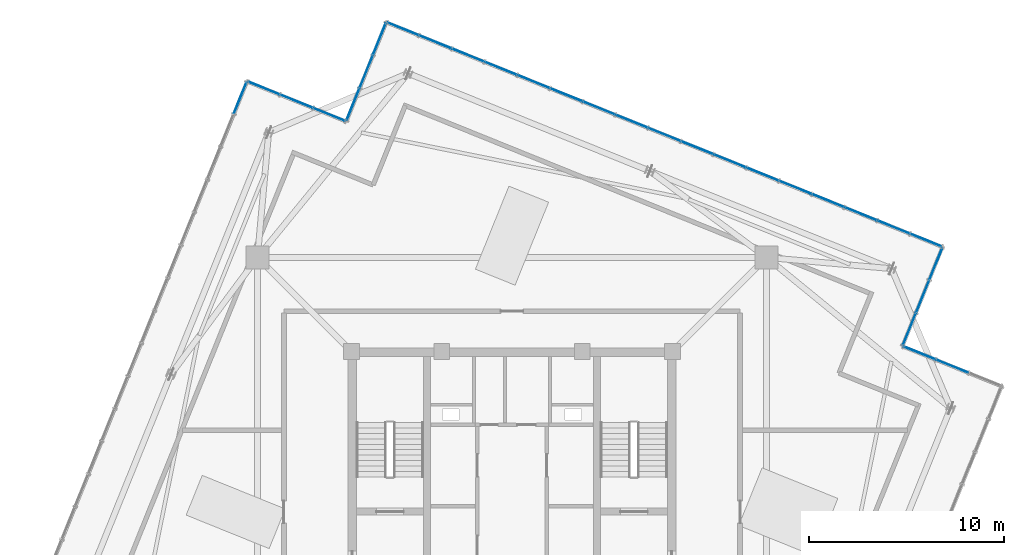
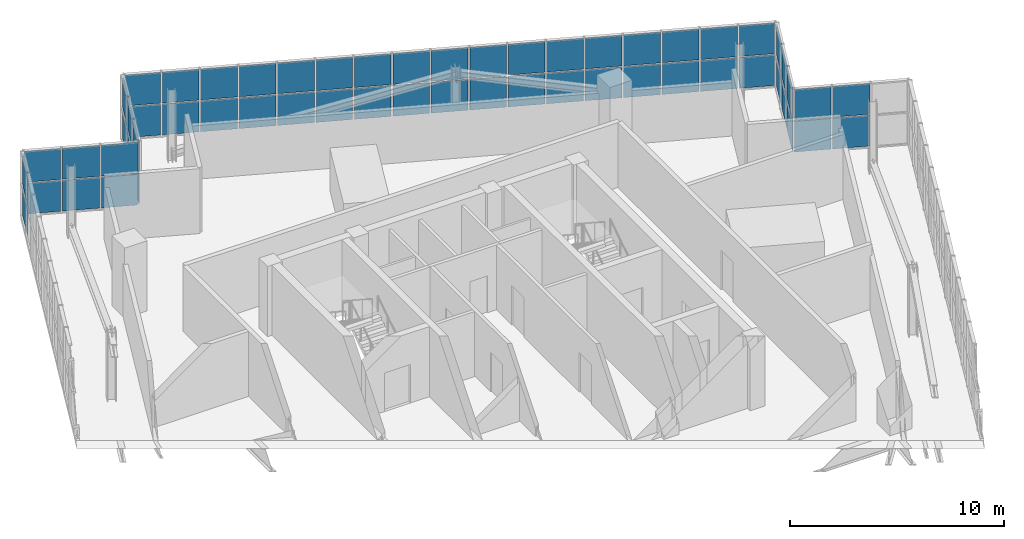
# One storey, part 20 of 26: 58 plates, 6 elements without a shape of their own.
"""IFC4 building model written with IfcOpenShell, lengths in metres."""

from ifc_helpers import new_model, si_unit, direction, frame, origin, origin_2d, place, context, subcontext, project, spatial, rectangle, extrude, source, transform, mapped, material, layer, layer_set, type_object, element, aggregate, save


model = new_model("IFC4")

# Units and contexts
model_context = context("Model", 3, precision=1e-05, world=origin(), true_north=direction((0.0, 1.0)))
body_context = subcontext(model_context, "Body", "Model", "MODEL_VIEW")
ifc_project = project(units=[si_unit("LENGTHUNIT", "METRE"), si_unit("AREAUNIT", "SQUARE_METRE"), si_unit("VOLUMEUNIT", "CUBIC_METRE"), si_unit("PLANEANGLEUNIT", "RADIAN"), si_unit("MASSUNIT", "GRAM", prefix="KILO"), si_unit("THERMODYNAMICTEMPERATUREUNIT", "KELVIN")], contexts=[model_context])

# Site, building, storey
site_placement = place(None, origin())
site = spatial("IfcSite", under=ifc_project, at=site_placement, CompositionType="ELEMENT")
building_placement = place(site_placement, origin())
building = spatial("IfcBuilding", under=site, at=building_placement, Name="Kosmvard Interchange Tower", CompositionType="ELEMENT")
storey_placement = place(building_placement, frame((0.0, 0.0, 337.60009765625)))
storey = spatial("IfcBuildingStorey", under=building, at=storey_placement, Name="L83", CompositionType="ELEMENT", Elevation=337.60009765625)

# Curtain wall, plates
ifc_material_1 = material(Name="Architectural anodised aluminium", Category="aluminium")
ifc_layer_1 = layer(ifc_material_1, 0.25, Name="Architectural anodised aluminium")
ifc_layer_set_1 = layer_set([ifc_layer_1], Name="Architectural anodised aluminium")
curtain_wall_type = type_object("IfcCurtainWallType", Name="CW-6 Illuminated Crown Lantern Curtain Wall", PredefinedType="NOTDEFINED", material=ifc_layer_set_1)
curtain_wall_1_placement = place(storey_placement, origin())
curtain_wall_1 = element("IfcCurtainWall", 1, at=curtain_wall_1_placement, inside=storey, type_object=curtain_wall_type, Name="L83 Crown Lantern Glazing Face 04", PredefinedType="NOTDEFINED")
ifc_material_2 = material(Name="Laminated acoustic lantern glazing", Category="glass")
ifc_layer_2 = layer(ifc_material_2, 0.035888671875, Name="Laminated acoustic lantern glazing")
ifc_layer_set_2 = layer_set([ifc_layer_2], Name="Laminated acoustic lantern glazing")
plate_type = type_object("IfcPlateType", Name="Lantern Diffused Illuminated Panel 36", PredefinedType="CURTAIN_PANEL", material=ifc_layer_set_2)
shared_shape_1 = source(origin(), body_context, "Body", "SweptSolid", [
    extrude(rectangle(XDim=1.694091796875, YDim=0.035888671875, at=origin_2d()), origin(), (0.0, 0.0, 1.0), 1.7451171875),
])
plate_1_placement = place(storey_placement, frame((21.2744140625, 13.967529296875, 0.06982421875), z_axis=(0.0, 0.0, 1.0), x_axis=(-0.927183858065, 0.374606584758, 0.0)))
plate_1 = element("IfcPlate", 2, at=plate_1_placement, type_object=plate_type, Name="CW-6 panel 1.1", PredefinedType="CURTAIN_PANEL", context=body_context, shape_type="MappedRepresentation", body=[
    mapped(shared_shape_1, transform((0.0, 0.0, 0.0), scale=1.0)),
])
plate_2_placement = place(storey_placement, frame((21.2744140625, 13.967529296875, 1.884765625), z_axis=(0.0, 0.0, 1.0), x_axis=(-0.927183858065, 0.374606584758, 0.0)))
plate_2 = element("IfcPlate", 3, at=plate_2_placement, type_object=plate_type, Name="CW-6 panel 1.2", PredefinedType="CURTAIN_PANEL", context=body_context, shape_type="MappedRepresentation", body=[
    mapped(shared_shape_1, transform((0.0, 0.0, 0.0), scale=1.0)),
])
plate_3_placement = place(storey_placement, frame((-5.600830078125, 24.825927734375, 0.06982421875), z_axis=(0.0, 0.0, 1.0), x_axis=(-0.927183858065, 0.374606584758, 0.0)))
plate_3 = element("IfcPlate", 4, at=plate_3_placement, type_object=plate_type, Name="CW-6 panel 17.1", PredefinedType="CURTAIN_PANEL", context=body_context, shape_type="MappedRepresentation", body=[
    mapped(shared_shape_1, transform((0.0, 0.0, 0.0), scale=1.0)),
])
plate_4_placement = place(storey_placement, frame((-5.600830078125, 24.825927734375, 1.884765625), z_axis=(0.0, 0.0, 1.0), x_axis=(-0.927183858065, 0.374606584758, 0.0)))
plate_4 = element("IfcPlate", 5, at=plate_4_placement, type_object=plate_type, Name="CW-6 panel 17.2", PredefinedType="CURTAIN_PANEL", context=body_context, shape_type="MappedRepresentation", body=[
    mapped(shared_shape_1, transform((0.0, 0.0, 0.0), scale=1.0)),
])

curtain_wall_2_placement = place(storey_placement, origin())
curtain_wall_2 = element("IfcCurtainWall", 6, at=curtain_wall_2_placement, inside=storey, type_object=curtain_wall_type, Name="L83 Crown Lantern Glazing Face 07", PredefinedType="NOTDEFINED")
plate_5_placement = place(storey_placement, frame((-13.967529296875, 21.2744140625, 0.06982421875), z_axis=(0.0, 0.0, 1.0), x_axis=(-0.374606584758, -0.927183858065, 0.0)))
plate_5 = element("IfcPlate", 7, at=plate_5_placement, type_object=plate_type, Name="CW-6 panel 1.1", PredefinedType="CURTAIN_PANEL", context=body_context, shape_type="MappedRepresentation", body=[
    mapped(shared_shape_1, transform((0.0, 0.0, 0.0), scale=1.0)),
])
plate_6_placement = place(storey_placement, frame((-13.967529296875, 21.2744140625, 1.884765625), z_axis=(0.0, 0.0, 1.0), x_axis=(-0.374606584758, -0.927183858065, 0.0)))
plate_6 = element("IfcPlate", 8, at=plate_6_placement, type_object=plate_type, Name="CW-6 panel 1.2", PredefinedType="CURTAIN_PANEL", context=body_context, shape_type="MappedRepresentation", body=[
    mapped(shared_shape_1, transform((0.0, 0.0, 0.0), scale=1.0)),
])
aggregate(curtain_wall_2, [plate_5, plate_6])

# Plate
shared_shape_2 = source(origin(), body_context, "Body", "SweptSolid", [
    extrude(rectangle(XDim=1.734130859375, YDim=0.035888671875, at=origin_2d()), origin(), (0.0, 0.0, 1.0), 1.7451171875),
])
plate_7_placement = place(storey_placement, frame((19.61083984375, 14.6396484375, 0.06982421875), z_axis=(0.0, 0.0, 1.0), x_axis=(-0.927183858065, 0.374606584758, 0.0)))
plate_7 = element("IfcPlate", 9, at=plate_7_placement, type_object=plate_type, Name="CW-6 panel 2.1", PredefinedType="CURTAIN_PANEL", context=body_context, shape_type="MappedRepresentation", body=[
    mapped(shared_shape_2, transform((0.0, 0.0, 0.0), scale=1.0)),
])

plate_8_placement = place(storey_placement, frame((19.61083984375, 14.6396484375, 1.884765625), z_axis=(0.0, 0.0, 1.0), x_axis=(-0.927183858065, 0.374606584758, 0.0)))
plate_8 = element("IfcPlate", 10, at=plate_8_placement, type_object=plate_type, Name="CW-6 panel 2.2", PredefinedType="CURTAIN_PANEL", context=body_context, shape_type="MappedRepresentation", body=[
    mapped(shared_shape_2, transform((0.0, 0.0, 0.0), scale=1.0)),
])

plate_9_placement = place(storey_placement, frame((17.928955078125, 15.319091796875, 0.06982421875), z_axis=(0.0, 0.0, 1.0), x_axis=(-0.927183858065, 0.374606584758, 0.0)))
plate_9 = element("IfcPlate", 11, at=plate_9_placement, type_object=plate_type, Name="CW-6 panel 3.1", PredefinedType="CURTAIN_PANEL", context=body_context, shape_type="MappedRepresentation", body=[
    mapped(shared_shape_2, transform((0.0, 0.0, 0.0), scale=1.0)),
])

plate_10_placement = place(storey_placement, frame((17.928955078125, 15.319091796875, 1.884765625), z_axis=(0.0, 0.0, 1.0), x_axis=(-0.927183858065, 0.374606584758, 0.0)))
plate_10 = element("IfcPlate", 12, at=plate_10_placement, type_object=plate_type, Name="CW-6 panel 3.2", PredefinedType="CURTAIN_PANEL", context=body_context, shape_type="MappedRepresentation", body=[
    mapped(shared_shape_2, transform((0.0, 0.0, 0.0), scale=1.0)),
])

plate_11_placement = place(storey_placement, frame((16.246826171875, 15.998779296875, 0.06982421875), z_axis=(0.0, 0.0, 1.0), x_axis=(-0.927183858065, 0.374606584758, 0.0)))
plate_11 = element("IfcPlate", 13, at=plate_11_placement, type_object=plate_type, Name="CW-6 panel 4.1", PredefinedType="CURTAIN_PANEL", context=body_context, shape_type="MappedRepresentation", body=[
    mapped(shared_shape_2, transform((0.0, 0.0, 0.0), scale=1.0)),
])

plate_12_placement = place(storey_placement, frame((16.246826171875, 15.998779296875, 1.884765625), z_axis=(0.0, 0.0, 1.0), x_axis=(-0.927183858065, 0.374606584758, 0.0)))
plate_12 = element("IfcPlate", 14, at=plate_12_placement, type_object=plate_type, Name="CW-6 panel 4.2", PredefinedType="CURTAIN_PANEL", context=body_context, shape_type="MappedRepresentation", body=[
    mapped(shared_shape_2, transform((0.0, 0.0, 0.0), scale=1.0)),
])

plate_13_placement = place(storey_placement, frame((14.56494140625, 16.678466796875, 0.06982421875), z_axis=(0.0, 0.0, 1.0), x_axis=(-0.927183858065, 0.374606584758, 0.0)))
plate_13 = element("IfcPlate", 15, at=plate_13_placement, type_object=plate_type, Name="CW-6 panel 5.1", PredefinedType="CURTAIN_PANEL", context=body_context, shape_type="MappedRepresentation", body=[
    mapped(shared_shape_2, transform((0.0, 0.0, 0.0), scale=1.0)),
])

plate_14_placement = place(storey_placement, frame((14.56494140625, 16.678466796875, 1.884765625), z_axis=(0.0, 0.0, 1.0), x_axis=(-0.927183858065, 0.374606584758, 0.0)))
plate_14 = element("IfcPlate", 16, at=plate_14_placement, type_object=plate_type, Name="CW-6 panel 5.2", PredefinedType="CURTAIN_PANEL", context=body_context, shape_type="MappedRepresentation", body=[
    mapped(shared_shape_2, transform((0.0, 0.0, 0.0), scale=1.0)),
])

plate_15_placement = place(storey_placement, frame((12.8828125, 17.35791015625, 0.06982421875), z_axis=(0.0, 0.0, 1.0), x_axis=(-0.927183858065, 0.374606584758, 0.0)))
plate_15 = element("IfcPlate", 17, at=plate_15_placement, type_object=plate_type, Name="CW-6 panel 6.1", PredefinedType="CURTAIN_PANEL", context=body_context, shape_type="MappedRepresentation", body=[
    mapped(shared_shape_2, transform((0.0, 0.0, 0.0), scale=1.0)),
])

plate_16_placement = place(storey_placement, frame((12.8828125, 17.35791015625, 1.884765625), z_axis=(0.0, 0.0, 1.0), x_axis=(-0.927183858065, 0.374606584758, 0.0)))
plate_16 = element("IfcPlate", 18, at=plate_16_placement, type_object=plate_type, Name="CW-6 panel 6.2", PredefinedType="CURTAIN_PANEL", context=body_context, shape_type="MappedRepresentation", body=[
    mapped(shared_shape_2, transform((0.0, 0.0, 0.0), scale=1.0)),
])

plate_17_placement = place(storey_placement, frame((11.200927734375, 18.03759765625, 0.06982421875), z_axis=(0.0, 0.0, 1.0), x_axis=(-0.927183858065, 0.374606584758, 0.0)))
plate_17 = element("IfcPlate", 19, at=plate_17_placement, type_object=plate_type, Name="CW-6 panel 7.1", PredefinedType="CURTAIN_PANEL", context=body_context, shape_type="MappedRepresentation", body=[
    mapped(shared_shape_2, transform((0.0, 0.0, 0.0), scale=1.0)),
])

plate_18_placement = place(storey_placement, frame((11.200927734375, 18.03759765625, 1.884765625), z_axis=(0.0, 0.0, 1.0), x_axis=(-0.927183858065, 0.374606584758, 0.0)))
plate_18 = element("IfcPlate", 20, at=plate_18_placement, type_object=plate_type, Name="CW-6 panel 7.2", PredefinedType="CURTAIN_PANEL", context=body_context, shape_type="MappedRepresentation", body=[
    mapped(shared_shape_2, transform((0.0, 0.0, 0.0), scale=1.0)),
])

plate_19_placement = place(storey_placement, frame((9.518798828125, 18.717041015625, 0.06982421875), z_axis=(0.0, 0.0, 1.0), x_axis=(-0.927183858065, 0.374606584758, 0.0)))
plate_19 = element("IfcPlate", 21, at=plate_19_placement, type_object=plate_type, Name="CW-6 panel 8.1", PredefinedType="CURTAIN_PANEL", context=body_context, shape_type="MappedRepresentation", body=[
    mapped(shared_shape_2, transform((0.0, 0.0, 0.0), scale=1.0)),
])

plate_20_placement = place(storey_placement, frame((9.518798828125, 18.717041015625, 1.884765625), z_axis=(0.0, 0.0, 1.0), x_axis=(-0.927183858065, 0.374606584758, 0.0)))
plate_20 = element("IfcPlate", 22, at=plate_20_placement, type_object=plate_type, Name="CW-6 panel 8.2", PredefinedType="CURTAIN_PANEL", context=body_context, shape_type="MappedRepresentation", body=[
    mapped(shared_shape_2, transform((0.0, 0.0, 0.0), scale=1.0)),
])

plate_21_placement = place(storey_placement, frame((7.836669921875, 19.396728515625, 0.06982421875), z_axis=(0.0, 0.0, 1.0), x_axis=(-0.927183858065, 0.374606584758, 0.0)))
plate_21 = element("IfcPlate", 23, at=plate_21_placement, type_object=plate_type, Name="CW-6 panel 9.1", PredefinedType="CURTAIN_PANEL", context=body_context, shape_type="MappedRepresentation", body=[
    mapped(shared_shape_2, transform((0.0, 0.0, 0.0), scale=1.0)),
])

plate_22_placement = place(storey_placement, frame((7.836669921875, 19.396728515625, 1.884765625), z_axis=(0.0, 0.0, 1.0), x_axis=(-0.927183858065, 0.374606584758, 0.0)))
plate_22 = element("IfcPlate", 24, at=plate_22_placement, type_object=plate_type, Name="CW-6 panel 9.2", PredefinedType="CURTAIN_PANEL", context=body_context, shape_type="MappedRepresentation", body=[
    mapped(shared_shape_2, transform((0.0, 0.0, 0.0), scale=1.0)),
])

plate_23_placement = place(storey_placement, frame((6.15478515625, 20.076171875, 0.06982421875), z_axis=(0.0, 0.0, 1.0), x_axis=(-0.927183858065, 0.374606584758, 0.0)))
plate_23 = element("IfcPlate", 25, at=plate_23_placement, type_object=plate_type, Name="CW-6 panel 10.1", PredefinedType="CURTAIN_PANEL", context=body_context, shape_type="MappedRepresentation", body=[
    mapped(shared_shape_2, transform((0.0, 0.0, 0.0), scale=1.0)),
])

plate_24_placement = place(storey_placement, frame((6.15478515625, 20.076171875, 1.884765625), z_axis=(0.0, 0.0, 1.0), x_axis=(-0.927183858065, 0.374606584758, 0.0)))
plate_24 = element("IfcPlate", 26, at=plate_24_placement, type_object=plate_type, Name="CW-6 panel 10.2", PredefinedType="CURTAIN_PANEL", context=body_context, shape_type="MappedRepresentation", body=[
    mapped(shared_shape_2, transform((0.0, 0.0, 0.0), scale=1.0)),
])

plate_25_placement = place(storey_placement, frame((4.47265625, 20.755859375, 0.06982421875), z_axis=(0.0, 0.0, 1.0), x_axis=(-0.927183858065, 0.374606584758, 0.0)))
plate_25 = element("IfcPlate", 27, at=plate_25_placement, type_object=plate_type, Name="CW-6 panel 11.1", PredefinedType="CURTAIN_PANEL", context=body_context, shape_type="MappedRepresentation", body=[
    mapped(shared_shape_2, transform((0.0, 0.0, 0.0), scale=1.0)),
])

plate_26_placement = place(storey_placement, frame((4.47265625, 20.755859375, 1.884765625), z_axis=(0.0, 0.0, 1.0), x_axis=(-0.927183858065, 0.374606584758, 0.0)))
plate_26 = element("IfcPlate", 28, at=plate_26_placement, type_object=plate_type, Name="CW-6 panel 11.2", PredefinedType="CURTAIN_PANEL", context=body_context, shape_type="MappedRepresentation", body=[
    mapped(shared_shape_2, transform((0.0, 0.0, 0.0), scale=1.0)),
])

plate_27_placement = place(storey_placement, frame((2.790771484375, 21.435546875, 0.06982421875), z_axis=(0.0, 0.0, 1.0), x_axis=(-0.927183858065, 0.374606584758, 0.0)))
plate_27 = element("IfcPlate", 29, at=plate_27_placement, type_object=plate_type, Name="CW-6 panel 12.1", PredefinedType="CURTAIN_PANEL", context=body_context, shape_type="MappedRepresentation", body=[
    mapped(shared_shape_2, transform((0.0, 0.0, 0.0), scale=1.0)),
])

plate_28_placement = place(storey_placement, frame((2.790771484375, 21.435546875, 1.884765625), z_axis=(0.0, 0.0, 1.0), x_axis=(-0.927183858065, 0.374606584758, 0.0)))
plate_28 = element("IfcPlate", 30, at=plate_28_placement, type_object=plate_type, Name="CW-6 panel 12.2", PredefinedType="CURTAIN_PANEL", context=body_context, shape_type="MappedRepresentation", body=[
    mapped(shared_shape_2, transform((0.0, 0.0, 0.0), scale=1.0)),
])

plate_29_placement = place(storey_placement, frame((1.108642578125, 22.114990234375, 0.06982421875), z_axis=(0.0, 0.0, 1.0), x_axis=(-0.927183858065, 0.374606584758, 0.0)))
plate_29 = element("IfcPlate", 31, at=plate_29_placement, type_object=plate_type, Name="CW-6 panel 13.1", PredefinedType="CURTAIN_PANEL", context=body_context, shape_type="MappedRepresentation", body=[
    mapped(shared_shape_2, transform((0.0, 0.0, 0.0), scale=1.0)),
])

plate_30_placement = place(storey_placement, frame((1.108642578125, 22.114990234375, 1.884765625), z_axis=(0.0, 0.0, 1.0), x_axis=(-0.927183858065, 0.374606584758, 0.0)))
plate_30 = element("IfcPlate", 32, at=plate_30_placement, type_object=plate_type, Name="CW-6 panel 13.2", PredefinedType="CURTAIN_PANEL", context=body_context, shape_type="MappedRepresentation", body=[
    mapped(shared_shape_2, transform((0.0, 0.0, 0.0), scale=1.0)),
])

plate_31_placement = place(storey_placement, frame((-0.5732421875, 22.794677734375, 0.06982421875), z_axis=(0.0, 0.0, 1.0), x_axis=(-0.927183858065, 0.374606584758, 0.0)))
plate_31 = element("IfcPlate", 33, at=plate_31_placement, type_object=plate_type, Name="CW-6 panel 14.1", PredefinedType="CURTAIN_PANEL", context=body_context, shape_type="MappedRepresentation", body=[
    mapped(shared_shape_2, transform((0.0, 0.0, 0.0), scale=1.0)),
])

plate_32_placement = place(storey_placement, frame((-0.5732421875, 22.794677734375, 1.884765625), z_axis=(0.0, 0.0, 1.0), x_axis=(-0.927183858065, 0.374606584758, 0.0)))
plate_32 = element("IfcPlate", 34, at=plate_32_placement, type_object=plate_type, Name="CW-6 panel 14.2", PredefinedType="CURTAIN_PANEL", context=body_context, shape_type="MappedRepresentation", body=[
    mapped(shared_shape_2, transform((0.0, 0.0, 0.0), scale=1.0)),
])

plate_33_placement = place(storey_placement, frame((-2.25537109375, 23.47412109375, 0.06982421875), z_axis=(0.0, 0.0, 1.0), x_axis=(-0.927183858065, 0.374606584758, 0.0)))
plate_33 = element("IfcPlate", 35, at=plate_33_placement, type_object=plate_type, Name="CW-6 panel 15.1", PredefinedType="CURTAIN_PANEL", context=body_context, shape_type="MappedRepresentation", body=[
    mapped(shared_shape_2, transform((0.0, 0.0, 0.0), scale=1.0)),
])

plate_34_placement = place(storey_placement, frame((-2.25537109375, 23.47412109375, 1.884765625), z_axis=(0.0, 0.0, 1.0), x_axis=(-0.927183858065, 0.374606584758, 0.0)))
plate_34 = element("IfcPlate", 36, at=plate_34_placement, type_object=plate_type, Name="CW-6 panel 15.2", PredefinedType="CURTAIN_PANEL", context=body_context, shape_type="MappedRepresentation", body=[
    mapped(shared_shape_2, transform((0.0, 0.0, 0.0), scale=1.0)),
])

plate_35_placement = place(storey_placement, frame((-3.937255859375, 24.15380859375, 0.06982421875), z_axis=(0.0, 0.0, 1.0), x_axis=(-0.927183858065, 0.374606584758, 0.0)))
plate_35 = element("IfcPlate", 37, at=plate_35_placement, type_object=plate_type, Name="CW-6 panel 16.1", PredefinedType="CURTAIN_PANEL", context=body_context, shape_type="MappedRepresentation", body=[
    mapped(shared_shape_2, transform((0.0, 0.0, 0.0), scale=1.0)),
])

plate_36_placement = place(storey_placement, frame((-3.937255859375, 24.15380859375, 1.884765625), z_axis=(0.0, 0.0, 1.0), x_axis=(-0.927183858065, 0.374606584758, 0.0)))
plate_36 = element("IfcPlate", 38, at=plate_36_placement, type_object=plate_type, Name="CW-6 panel 16.2", PredefinedType="CURTAIN_PANEL", context=body_context, shape_type="MappedRepresentation", body=[
    mapped(shared_shape_2, transform((0.0, 0.0, 0.0), scale=1.0)),
])

aggregate(curtain_wall_1, [plate_1, plate_2, plate_7, plate_8, plate_9, plate_10, plate_11, plate_12, plate_13, plate_14, plate_15, plate_16, plate_17, plate_18, plate_19, plate_20, plate_21, plate_22, plate_23, plate_24, plate_25, plate_26, plate_27, plate_28, plate_29, plate_30, plate_31, plate_32, plate_33, plate_34, plate_35, plate_36, plate_3, plate_4])

# Curtain wall, plates
curtain_wall_3_placement = place(storey_placement, origin())
curtain_wall_3 = element("IfcCurtainWall", 39, at=curtain_wall_3_placement, inside=storey, type_object=curtain_wall_type, Name="L83 Crown Lantern Glazing Face 02", PredefinedType="NOTDEFINED")
shared_shape_3 = source(origin(), body_context, "Body", "SweptSolid", [
    extrude(rectangle(XDim=1.71337890625, YDim=0.035888671875, at=origin_2d()), origin(), (0.0, 0.0, 1.0), 1.7451171875),
])
plate_37_placement = place(storey_placement, frame((20.942138671875, 8.169921875, 0.06982421875), z_axis=(0.0, 0.0, 1.0), x_axis=(-0.92718386612, 0.374606564822, 0.0)))
plate_37 = element("IfcPlate", 40, at=plate_37_placement, type_object=plate_type, Name="CW-6 panel 3.1", PredefinedType="CURTAIN_PANEL", context=body_context, shape_type="MappedRepresentation", body=[
    mapped(shared_shape_3, transform((0.0, 0.0, 0.0), scale=1.0)),
])
plate_38_placement = place(storey_placement, frame((20.942138671875, 8.169921875, 1.884765625), z_axis=(0.0, 0.0, 1.0), x_axis=(-0.92718386612, 0.374606564822, 0.0)))
plate_38 = element("IfcPlate", 41, at=plate_38_placement, type_object=plate_type, Name="CW-6 panel 3.2", PredefinedType="CURTAIN_PANEL", context=body_context, shape_type="MappedRepresentation", body=[
    mapped(shared_shape_3, transform((0.0, 0.0, 0.0), scale=1.0)),
])

curtain_wall_4_placement = place(storey_placement, origin())
curtain_wall_4 = element("IfcCurtainWall", 42, at=curtain_wall_4_placement, inside=storey, type_object=curtain_wall_type, Name="L83 Crown Lantern Glazing Face 03", PredefinedType="NOTDEFINED")
plate_39_placement = place(storey_placement, frame((20.424560546875, 9.38916015625, 0.06982421875), z_axis=(0.0, 0.0, 1.0), x_axis=(0.374606501678, 0.927183891631, 0.0)))
plate_39 = element("IfcPlate", 43, at=plate_39_placement, type_object=plate_type, Name="CW-6 panel 1.1", PredefinedType="CURTAIN_PANEL", context=body_context, shape_type="MappedRepresentation", body=[
    mapped(shared_shape_3, transform((0.0, 0.0, 0.0), scale=1.0)),
])
plate_40_placement = place(storey_placement, frame((20.424560546875, 9.38916015625, 1.884765625), z_axis=(0.0, 0.0, 1.0), x_axis=(0.374606501678, 0.927183891631, 0.0)))
plate_40 = element("IfcPlate", 44, at=plate_40_placement, type_object=plate_type, Name="CW-6 panel 1.2", PredefinedType="CURTAIN_PANEL", context=body_context, shape_type="MappedRepresentation", body=[
    mapped(shared_shape_3, transform((0.0, 0.0, 0.0), scale=1.0)),
])
plate_41_placement = place(storey_placement, frame((21.782958984375, 12.751708984375, 0.06982421875), z_axis=(0.0, 0.0, 1.0), x_axis=(0.374606501678, 0.927183891631, 0.0)))
plate_41 = element("IfcPlate", 45, at=plate_41_placement, type_object=plate_type, Name="CW-6 panel 3.1", PredefinedType="CURTAIN_PANEL", context=body_context, shape_type="MappedRepresentation", body=[
    mapped(shared_shape_3, transform((0.0, 0.0, 0.0), scale=1.0)),
])
plate_42_placement = place(storey_placement, frame((21.782958984375, 12.751708984375, 1.884765625), z_axis=(0.0, 0.0, 1.0), x_axis=(0.374606501678, 0.927183891631, 0.0)))
plate_42 = element("IfcPlate", 46, at=plate_42_placement, type_object=plate_type, Name="CW-6 panel 3.2", PredefinedType="CURTAIN_PANEL", context=body_context, shape_type="MappedRepresentation", body=[
    mapped(shared_shape_3, transform((0.0, 0.0, 0.0), scale=1.0)),
])

curtain_wall_5_placement = place(storey_placement, origin())
curtain_wall_5 = element("IfcCurtainWall", 47, at=curtain_wall_5_placement, inside=storey, type_object=curtain_wall_type, Name="L83 Crown Lantern Glazing Face 05", PredefinedType="NOTDEFINED")
plate_43_placement = place(storey_placement, frame((-6.811279296875, 24.3046875, 0.06982421875), z_axis=(0.0, 0.0, 1.0), x_axis=(-0.374606564822, -0.92718386612, 0.0)))
plate_43 = element("IfcPlate", 48, at=plate_43_placement, type_object=plate_type, Name="CW-6 panel 1.1", PredefinedType="CURTAIN_PANEL", context=body_context, shape_type="MappedRepresentation", body=[
    mapped(shared_shape_3, transform((0.0, 0.0, 0.0), scale=1.0)),
])
plate_44_placement = place(storey_placement, frame((-6.811279296875, 24.3046875, 1.884765625), z_axis=(0.0, 0.0, 1.0), x_axis=(-0.374606564822, -0.92718386612, 0.0)))
plate_44 = element("IfcPlate", 49, at=plate_44_placement, type_object=plate_type, Name="CW-6 panel 1.2", PredefinedType="CURTAIN_PANEL", context=body_context, shape_type="MappedRepresentation", body=[
    mapped(shared_shape_3, transform((0.0, 0.0, 0.0), scale=1.0)),
])
plate_45_placement = place(storey_placement, frame((-8.169921875, 20.942138671875, 0.06982421875), z_axis=(0.0, 0.0, 1.0), x_axis=(-0.374606564822, -0.92718386612, 0.0)))
plate_45 = element("IfcPlate", 50, at=plate_45_placement, type_object=plate_type, Name="CW-6 panel 3.1", PredefinedType="CURTAIN_PANEL", context=body_context, shape_type="MappedRepresentation", body=[
    mapped(shared_shape_3, transform((0.0, 0.0, 0.0), scale=1.0)),
])
plate_46_placement = place(storey_placement, frame((-8.169921875, 20.942138671875, 1.884765625), z_axis=(0.0, 0.0, 1.0), x_axis=(-0.374606564822, -0.92718386612, 0.0)))
plate_46 = element("IfcPlate", 51, at=plate_46_placement, type_object=plate_type, Name="CW-6 panel 3.2", PredefinedType="CURTAIN_PANEL", context=body_context, shape_type="MappedRepresentation", body=[
    mapped(shared_shape_3, transform((0.0, 0.0, 0.0), scale=1.0)),
])

curtain_wall_6_placement = place(storey_placement, origin())
curtain_wall_6 = element("IfcCurtainWall", 52, at=curtain_wall_6_placement, inside=storey, type_object=curtain_wall_type, Name="L83 Crown Lantern Glazing Face 06", PredefinedType="NOTDEFINED")
plate_47_placement = place(storey_placement, frame((-9.38916015625, 20.424560546875, 0.06982421875), z_axis=(0.0, 0.0, 1.0), x_axis=(-0.927183891631, 0.374606501678, 0.0)))
plate_47 = element("IfcPlate", 53, at=plate_47_placement, type_object=plate_type, Name="CW-6 panel 1.1", PredefinedType="CURTAIN_PANEL", context=body_context, shape_type="MappedRepresentation", body=[
    mapped(shared_shape_3, transform((0.0, 0.0, 0.0), scale=1.0)),
])
plate_48_placement = place(storey_placement, frame((-9.38916015625, 20.424560546875, 1.884765625), z_axis=(0.0, 0.0, 1.0), x_axis=(-0.927183891631, 0.374606501678, 0.0)))
plate_48 = element("IfcPlate", 54, at=plate_48_placement, type_object=plate_type, Name="CW-6 panel 1.2", PredefinedType="CURTAIN_PANEL", context=body_context, shape_type="MappedRepresentation", body=[
    mapped(shared_shape_3, transform((0.0, 0.0, 0.0), scale=1.0)),
])
plate_49_placement = place(storey_placement, frame((-12.751708984375, 21.782958984375, 0.06982421875), z_axis=(0.0, 0.0, 1.0), x_axis=(-0.927183891631, 0.374606501678, 0.0)))
plate_49 = element("IfcPlate", 55, at=plate_49_placement, type_object=plate_type, Name="CW-6 panel 3.1", PredefinedType="CURTAIN_PANEL", context=body_context, shape_type="MappedRepresentation", body=[
    mapped(shared_shape_3, transform((0.0, 0.0, 0.0), scale=1.0)),
])
plate_50_placement = place(storey_placement, frame((-12.751708984375, 21.782958984375, 1.884765625), z_axis=(0.0, 0.0, 1.0), x_axis=(-0.927183891631, 0.374606501678, 0.0)))
plate_50 = element("IfcPlate", 56, at=plate_50_placement, type_object=plate_type, Name="CW-6 panel 3.2", PredefinedType="CURTAIN_PANEL", context=body_context, shape_type="MappedRepresentation", body=[
    mapped(shared_shape_3, transform((0.0, 0.0, 0.0), scale=1.0)),
])

# Plate
shared_shape_4 = source(origin(), body_context, "Body", "SweptSolid", [
    extrude(rectangle(XDim=1.75341796875, YDim=0.035888671875, at=origin_2d()), origin(), (0.0, 0.0, 1.0), 1.7451171875),
])
plate_51_placement = place(storey_placement, frame((22.623291015625, 7.490478515625, 0.06982421875), z_axis=(0.0, 0.0, 1.0), x_axis=(-0.92718386612, 0.374606564822, 0.0)))
plate_51 = element("IfcPlate", 57, at=plate_51_placement, type_object=plate_type, Name="CW-6 panel 2.1", PredefinedType="CURTAIN_PANEL", context=body_context, shape_type="MappedRepresentation", body=[
    mapped(shared_shape_4, transform((0.0, 0.0, 0.0), scale=1.0)),
])

plate_52_placement = place(storey_placement, frame((22.623291015625, 7.490478515625, 1.884765625), z_axis=(0.0, 0.0, 1.0), x_axis=(-0.92718386612, 0.374606564822, 0.0)))
plate_52 = element("IfcPlate", 58, at=plate_52_placement, type_object=plate_type, Name="CW-6 panel 2.2", PredefinedType="CURTAIN_PANEL", context=body_context, shape_type="MappedRepresentation", body=[
    mapped(shared_shape_4, transform((0.0, 0.0, 0.0), scale=1.0)),
])

aggregate(curtain_wall_3, [plate_51, plate_52, plate_37, plate_38])

plate_53_placement = place(storey_placement, frame((21.103759765625, 11.070556640625, 0.06982421875), z_axis=(0.0, 0.0, 1.0), x_axis=(0.374606501678, 0.927183891631, 0.0)))
plate_53 = element("IfcPlate", 59, at=plate_53_placement, type_object=plate_type, Name="CW-6 panel 2.1", PredefinedType="CURTAIN_PANEL", context=body_context, shape_type="MappedRepresentation", body=[
    mapped(shared_shape_4, transform((0.0, 0.0, 0.0), scale=1.0)),
])

plate_54_placement = place(storey_placement, frame((21.103759765625, 11.070556640625, 1.884765625), z_axis=(0.0, 0.0, 1.0), x_axis=(0.374606501678, 0.927183891631, 0.0)))
plate_54 = element("IfcPlate", 60, at=plate_54_placement, type_object=plate_type, Name="CW-6 panel 2.2", PredefinedType="CURTAIN_PANEL", context=body_context, shape_type="MappedRepresentation", body=[
    mapped(shared_shape_4, transform((0.0, 0.0, 0.0), scale=1.0)),
])

aggregate(curtain_wall_4, [plate_39, plate_40, plate_53, plate_54, plate_41, plate_42])

plate_55_placement = place(storey_placement, frame((-7.490478515625, 22.623291015625, 0.06982421875), z_axis=(0.0, 0.0, 1.0), x_axis=(-0.374606564822, -0.92718386612, 0.0)))
plate_55 = element("IfcPlate", 61, at=plate_55_placement, type_object=plate_type, Name="CW-6 panel 2.1", PredefinedType="CURTAIN_PANEL", context=body_context, shape_type="MappedRepresentation", body=[
    mapped(shared_shape_4, transform((0.0, 0.0, 0.0), scale=1.0)),
])

plate_56_placement = place(storey_placement, frame((-7.490478515625, 22.623291015625, 1.884765625), z_axis=(0.0, 0.0, 1.0), x_axis=(-0.374606564822, -0.92718386612, 0.0)))
plate_56 = element("IfcPlate", 62, at=plate_56_placement, type_object=plate_type, Name="CW-6 panel 2.2", PredefinedType="CURTAIN_PANEL", context=body_context, shape_type="MappedRepresentation", body=[
    mapped(shared_shape_4, transform((0.0, 0.0, 0.0), scale=1.0)),
])

aggregate(curtain_wall_5, [plate_43, plate_44, plate_55, plate_56, plate_45, plate_46])

plate_57_placement = place(storey_placement, frame((-11.070556640625, 21.103759765625, 0.06982421875), z_axis=(0.0, 0.0, 1.0), x_axis=(-0.927183891631, 0.374606501678, 0.0)))
plate_57 = element("IfcPlate", 63, at=plate_57_placement, type_object=plate_type, Name="CW-6 panel 2.1", PredefinedType="CURTAIN_PANEL", context=body_context, shape_type="MappedRepresentation", body=[
    mapped(shared_shape_4, transform((0.0, 0.0, 0.0), scale=1.0)),
])

plate_58_placement = place(storey_placement, frame((-11.070556640625, 21.103759765625, 1.884765625), z_axis=(0.0, 0.0, 1.0), x_axis=(-0.927183891631, 0.374606501678, 0.0)))
plate_58 = element("IfcPlate", 64, at=plate_58_placement, type_object=plate_type, Name="CW-6 panel 2.2", PredefinedType="CURTAIN_PANEL", context=body_context, shape_type="MappedRepresentation", body=[
    mapped(shared_shape_4, transform((0.0, 0.0, 0.0), scale=1.0)),
])

aggregate(curtain_wall_6, [plate_47, plate_48, plate_57, plate_58, plate_49, plate_50])

save(model, "model.ifc")
